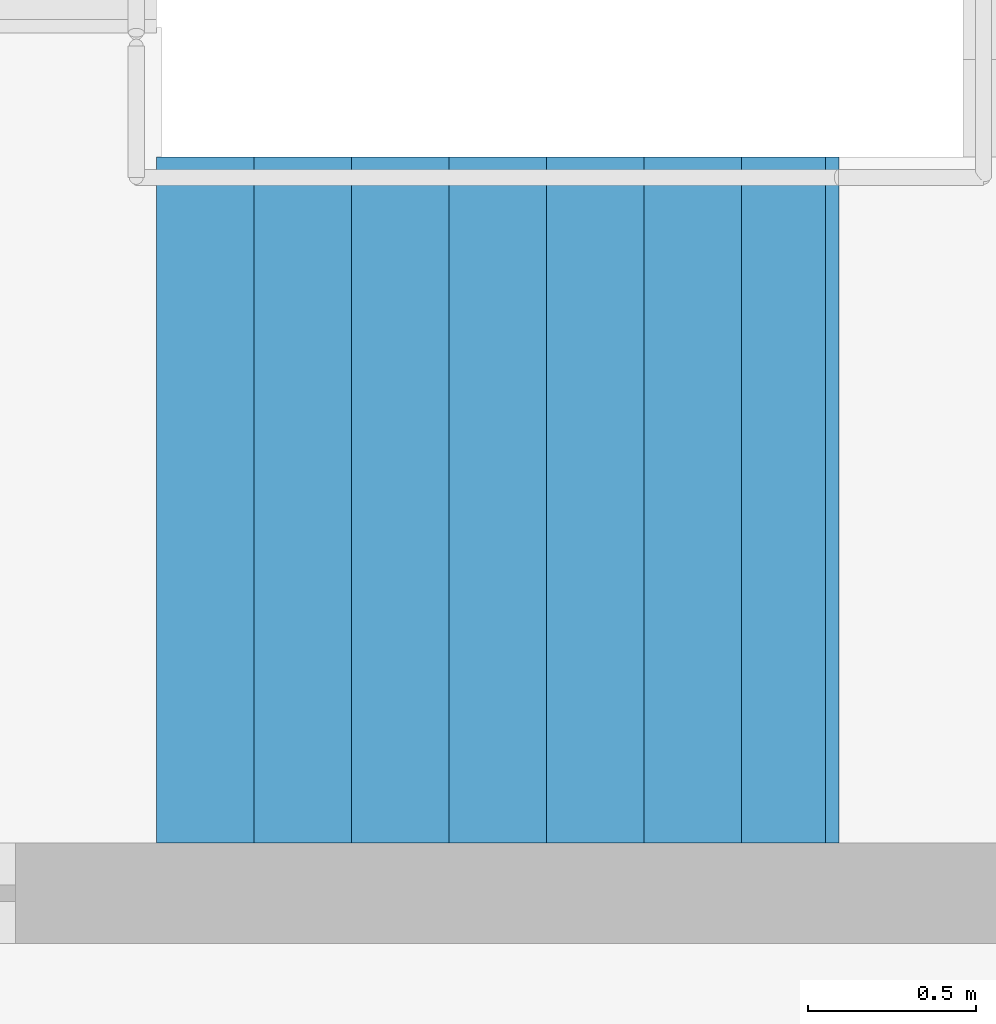
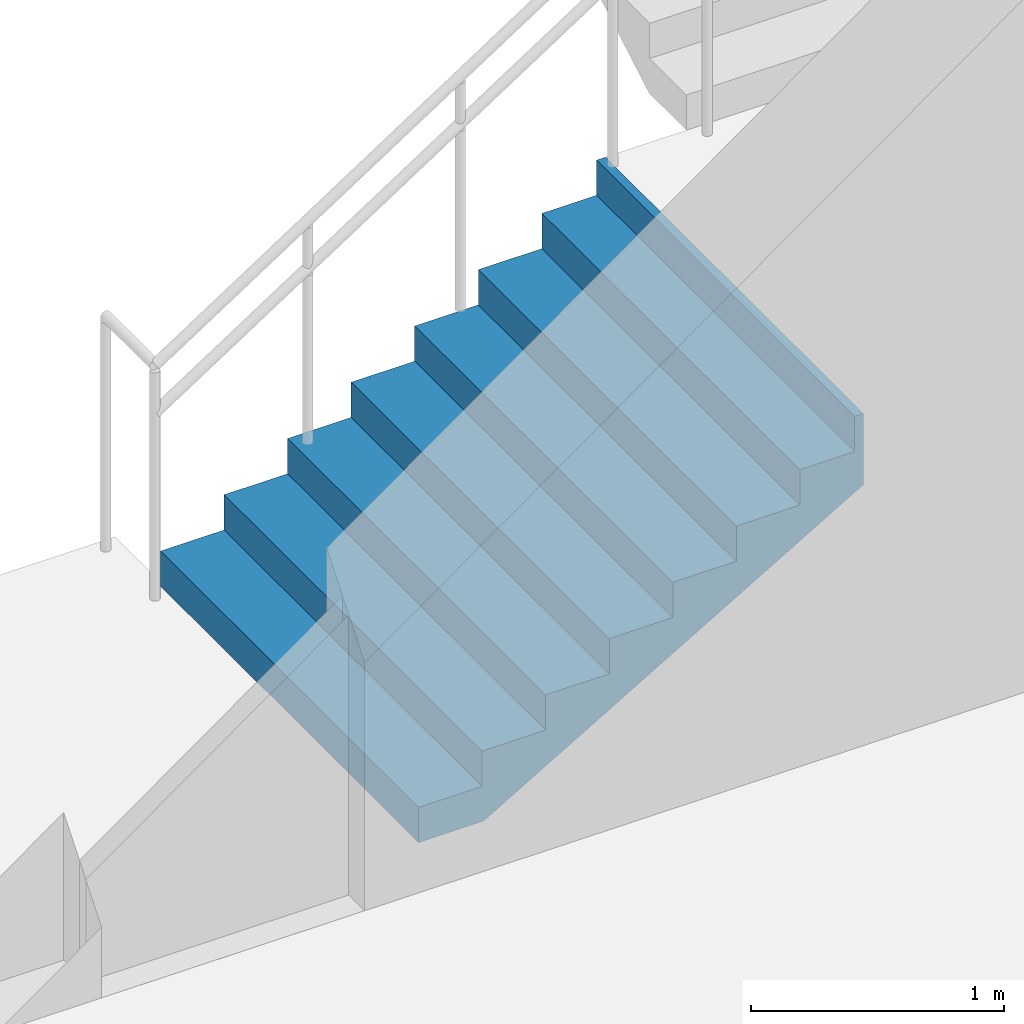
# One storey, part 58 of 72: 1 stair flight, 1 element without a shape of its own.
"""IFC4 building model written with IfcOpenShell, lengths in metres."""

from ifc_helpers import new_model, si_unit, direction, frame, origin, place, context, subcontext, project, spatial, triangles, material, type_object, element, aggregate, save


model = new_model("IFC4")

# Units and contexts
model_context = context("Model", 3, precision=1e-05, world=origin(), true_north=direction((0.0, 1.0)))
body_context = subcontext(model_context, "Body", "Model", "MODEL_VIEW")
ifc_project = project(units=[si_unit("LENGTHUNIT", "METRE"), si_unit("AREAUNIT", "SQUARE_METRE"), si_unit("VOLUMEUNIT", "CUBIC_METRE"), si_unit("PLANEANGLEUNIT", "RADIAN"), si_unit("MASSUNIT", "GRAM", prefix="KILO")], contexts=[model_context])

# Site, building, storey
site_placement = place(None, origin())
site = spatial("IfcSite", under=ifc_project, at=site_placement, CompositionType="ELEMENT")
building_placement = place(site_placement, origin())
building = spatial("IfcBuilding", under=site, at=building_placement, Name="Sillaruma Civic Art Gallery", CompositionType="ELEMENT")
storey_placement = place(building_placement, frame((0.0, 0.0, 10.8798828125)))
storey = spatial("IfcBuildingStorey", under=building, at=storey_placement, Name="L02", CompositionType="ELEMENT", Elevation=10.8798828125)

# Stair, stair flight
ifc_material = material(Name="Concrete H35 (35 MPa)", Category="concrete")
stair_type = type_object("IfcStairType", Name="STR-4F-32", PredefinedType="USERDEFINED", material=ifc_material)
stair_placement = place(storey_placement, origin())
stair = element("IfcStair", 1, at=stair_placement, inside=storey, type_object=stair_type, Name="Protected Exit Stair ST-01 (West Wing) (L02)", ObjectType="THREE_RETURN_STAIR", PredefinedType="USERDEFINED")
stair_flight_type = type_object("IfcStairFlightType", Name="SFL-STR-8", PredefinedType="STRAIGHT", material=ifc_material)
stair_flight_placement = place(storey_placement, frame((27.60009765625, 101.719970703125, 0.0), z_axis=(0.0, 0.0, 1.0), x_axis=(1.0, 0.0, 0.0)))
stair_flight = element("IfcStairFlight", 2, at=stair_flight_placement, type_object=stair_flight_type, Name="ST-01 flight 1", NumberOfRisers=8, NumberOfTreads=7, PredefinedType="STRAIGHT", RiserHeight=0.17, TreadLength=0.29, context=body_context, shape_type="Tessellation", body=[
    triangles([(0.0, -1.02001953125, 0.0), (0.29, -1.02001953125, 0.0), (0.296443, -1.02001953125, 0.0), (0.58, -1.02001953125, 0.166223), (0.87, -1.02001953125, 0.336223), (1.16, -1.02001953125, 0.506223), (1.45, -1.02001953125, 0.676223), (1.74, -1.02001953125, 0.846223), (1.990029, -1.02001953125, 0.992792), (2.030029, -1.02001953125, 1.01624), (2.030029, -1.02001953125, 1.36), (1.990029, -1.02001953125, 1.36), (1.990029, -1.02001953125, 1.19), (1.74, -1.02001953125, 1.19), (1.74, -1.02001953125, 1.02), (1.45, -1.02001953125, 1.02), (1.45, -1.02001953125, 0.85), (1.16, -1.02001953125, 0.85), (1.16, -1.02001953125, 0.68), (0.87, -1.02001953125, 0.68), (0.87, -1.02001953125, 0.51), (0.58, -1.02001953125, 0.51), (0.58, -1.02001953125, 0.34), (0.296443, -1.02001953125, 0.34), (0.29, -1.02001953125, 0.34), (0.29, -1.02001953125, 0.17), (0.0, -1.02001953125, 0.17), (0.0, -0.05, 0.0), (0.29, -0.05, 0.0), (0.296443, -0.05, 0.0), (0.58, -0.05, 0.166223), (0.87, -0.05, 0.336223), (1.16, -0.05, 0.506223), (1.45, -0.05, 0.676223), (1.74, -0.05, 0.846223), (1.990029, -0.05, 0.992792), (2.030029, -0.05, 1.01624), (2.030029, -0.05, 1.36), (1.990029, -0.05, 1.36), (1.990029, -0.05, 1.19), (1.74, -0.05, 1.19), (1.74, -0.05, 1.02), (1.45, -0.05, 1.02), (1.45, -0.05, 0.85), (1.16, -0.05, 0.85), (1.16, -0.05, 0.68), (0.87, -0.05, 0.68), (0.87, -0.05, 0.51), (0.58, -0.05, 0.51), (0.58, -0.05, 0.34), (0.296443, -0.05, 0.34), (0.29, -0.05, 0.34), (0.29, -0.05, 0.17), (0.0, -0.05, 0.17), (0.0, -0.0375, 0.0), (0.29, -0.0375, 0.0), (0.296443, -0.0375, 0.0), (0.58, -0.0375, 0.166223), (0.87, -0.0375, 0.336223), (1.16, -0.0375, 0.506223), (1.45, -0.0375, 0.676223), (1.74, -0.0375, 0.846223), (1.990029, -0.0375, 0.992792), (2.030029, -0.0375, 1.01624), (2.030029, -0.0375, 1.36), (1.990029, -0.0375, 1.36), (1.990029, -0.0375, 1.19), (1.74, -0.0375, 1.19), (1.74, -0.0375, 1.02), (1.45, -0.0375, 1.02), (1.45, -0.0375, 0.85), (1.16, -0.0375, 0.85), (1.16, -0.0375, 0.68), (0.87, -0.0375, 0.68), (0.87, -0.0375, 0.51), (0.58, -0.0375, 0.51), (0.58, -0.0375, 0.34), (0.296443, -0.0375, 0.34), (0.29, -0.0375, 0.34), (0.29, -0.0375, 0.17), (0.0, -0.0375, 0.17), (0.0, -0.025, 0.0), (0.29, -0.025, 0.0), (0.296443, -0.025, 0.0), (0.58, -0.025, 0.166223), (0.87, -0.025, 0.336223), (1.16, -0.025, 0.506223), (1.45, -0.025, 0.676223), (1.74, -0.025, 0.846223), (1.990029, -0.025, 0.992792), (2.030029, -0.025, 1.01624), (2.030029, -0.025, 1.36), (1.990029, -0.025, 1.36), (1.990029, -0.025, 1.19), (1.74, -0.025, 1.19), (1.74, -0.025, 1.02), (1.45, -0.025, 1.02), (1.45, -0.025, 0.85), (1.16, -0.025, 0.85), (1.16, -0.025, 0.68), (0.87, -0.025, 0.68), (0.87, -0.025, 0.51), (0.58, -0.025, 0.51), (0.58, -0.025, 0.34), (0.296443, -0.025, 0.34), (0.29, -0.025, 0.34), (0.29, -0.025, 0.17), (0.0, -0.025, 0.17), (0.0, -0.0125, 0.0), (0.29, -0.0125, 0.0), (0.296443, -0.0125, 0.0), (0.58, -0.0125, 0.166223), (0.87, -0.0125, 0.336223), (1.16, -0.0125, 0.506223), (1.45, -0.0125, 0.676223), (1.74, -0.0125, 0.846223), (1.990029, -0.0125, 0.992792), (2.030029, -0.0125, 1.01624), (2.030029, -0.0125, 1.36), (1.990029, -0.0125, 1.36), (1.990029, -0.0125, 1.19), (1.74, -0.0125, 1.19), (1.74, -0.0125, 1.02), (1.45, -0.0125, 1.02), (1.45, -0.0125, 0.85), (1.16, -0.0125, 0.85), (1.16, -0.0125, 0.68), (0.87, -0.0125, 0.68), (0.87, -0.0125, 0.51), (0.58, -0.0125, 0.51), (0.58, -0.0125, 0.34), (0.296443, -0.0125, 0.34), (0.29, -0.0125, 0.34), (0.29, -0.0125, 0.17), (0.0, -0.0125, 0.17), (0.0, 0.0, 0.0), (0.29, 0.0, 0.0), (0.296443, 0.0, 0.0), (0.58, 0.0, 0.166223), (0.87, 0.0, 0.336223), (1.16, 0.0, 0.506223), (1.45, 0.0, 0.676223), (1.74, 0.0, 0.846223), (1.990029, 0.0, 0.992792), (2.030029, 0.0, 1.01624), (2.030029, 0.0, 1.36), (1.990029, 0.0, 1.36), (1.990029, 0.0, 1.19), (1.74, 0.0, 1.19), (1.74, 0.0, 1.02), (1.45, 0.0, 1.02), (1.45, 0.0, 0.85), (1.16, 0.0, 0.85), (1.16, 0.0, 0.68), (0.87, 0.0, 0.68), (0.87, 0.0, 0.51), (0.58, 0.0, 0.51), (0.58, 0.0, 0.34), (0.296443, 0.0, 0.34), (0.29, 0.0, 0.34), (0.29, 0.0, 0.17), (0.0, 0.0, 0.17), (0.0, 0.0125, 0.0), (0.29, 0.0125, 0.0), (0.296443, 0.0125, 0.0), (0.58, 0.0125, 0.166223), (0.87, 0.0125, 0.336223), (1.16, 0.0125, 0.506223), (1.45, 0.0125, 0.676223), (1.74, 0.0125, 0.846223), (1.990029, 0.0125, 0.992792), (2.030029, 0.0125, 1.01624), (2.030029, 0.0125, 1.36), (1.990029, 0.0125, 1.36), (1.990029, 0.0125, 1.19), (1.74, 0.0125, 1.19), (1.74, 0.0125, 1.02), (1.45, 0.0125, 1.02), (1.45, 0.0125, 0.85), (1.16, 0.0125, 0.85), (1.16, 0.0125, 0.68), (0.87, 0.0125, 0.68), (0.87, 0.0125, 0.51), (0.58, 0.0125, 0.51), (0.58, 0.0125, 0.34), (0.296443, 0.0125, 0.34), (0.29, 0.0125, 0.34), (0.29, 0.0125, 0.17), (0.0, 0.0125, 0.17), (0.0, 0.025, 0.0), (0.29, 0.025, 0.0), (0.296443, 0.025, 0.0), (0.58, 0.025, 0.166223), (0.87, 0.025, 0.336223), (1.16, 0.025, 0.506223), (1.45, 0.025, 0.676223), (1.74, 0.025, 0.846223), (1.990029, 0.025, 0.992792), (2.030029, 0.025, 1.01624), (2.030029, 0.025, 1.36), (1.990029, 0.025, 1.36), (1.990029, 0.025, 1.19), (1.74, 0.025, 1.19), (1.74, 0.025, 1.02), (1.45, 0.025, 1.02), (1.45, 0.025, 0.85), (1.16, 0.025, 0.85), (1.16, 0.025, 0.68), (0.87, 0.025, 0.68), (0.87, 0.025, 0.51), (0.58, 0.025, 0.51), (0.58, 0.025, 0.34), (0.296443, 0.025, 0.34), (0.29, 0.025, 0.34), (0.29, 0.025, 0.17), (0.0, 0.025, 0.17), (0.0, 0.0375, 0.0), (0.29, 0.0375, 0.0), (0.296443, 0.0375, 0.0), (0.58, 0.0375, 0.166223), (0.87, 0.0375, 0.336223), (1.16, 0.0375, 0.506223), (1.45, 0.0375, 0.676223), (1.74, 0.0375, 0.846223), (1.990029, 0.0375, 0.992792), (2.030029, 0.0375, 1.01624), (2.030029, 0.0375, 1.36), (1.990029, 0.0375, 1.36), (1.990029, 0.0375, 1.19), (1.74, 0.0375, 1.19), (1.74, 0.0375, 1.02), (1.45, 0.0375, 1.02), (1.45, 0.0375, 0.85), (1.16, 0.0375, 0.85), (1.16, 0.0375, 0.68), (0.87, 0.0375, 0.68), (0.87, 0.0375, 0.51), (0.58, 0.0375, 0.51), (0.58, 0.0375, 0.34), (0.296443, 0.0375, 0.34), (0.29, 0.0375, 0.34), (0.29, 0.0375, 0.17), (0.0, 0.0375, 0.17), (0.0, 0.05, 0.0), (0.29, 0.05, 0.0), (0.296443, 0.05, 0.0), (0.58, 0.05, 0.166223), (0.87, 0.05, 0.336223), (1.16, 0.05, 0.506223), (1.45, 0.05, 0.676223), (1.74, 0.05, 0.846223), (1.990029, 0.05, 0.992792), (2.030029, 0.05, 1.01624), (2.030029, 0.05, 1.36), (1.990029, 0.05, 1.36), (1.990029, 0.05, 1.19), (1.74, 0.05, 1.19), (1.74, 0.05, 1.02), (1.45, 0.05, 1.02), (1.45, 0.05, 0.85), (1.16, 0.05, 0.85), (1.16, 0.05, 0.68), (0.87, 0.05, 0.68), (0.87, 0.05, 0.51), (0.58, 0.05, 0.51), (0.58, 0.05, 0.34), (0.296443, 0.05, 0.34), (0.29, 0.05, 0.34), (0.29, 0.05, 0.17), (0.0, 0.05, 0.17), (0.0, 1.02001953125, 0.0), (0.29, 1.02001953125, 0.0), (0.296443, 1.02001953125, 0.0), (0.58, 1.02001953125, 0.166223), (0.87, 1.02001953125, 0.336223), (1.16, 1.02001953125, 0.506223), (1.45, 1.02001953125, 0.676223), (1.74, 1.02001953125, 0.846223), (1.990029, 1.02001953125, 0.992792), (2.030029, 1.02001953125, 1.01624), (2.030029, 1.02001953125, 1.36), (1.990029, 1.02001953125, 1.36), (1.990029, 1.02001953125, 1.19), (1.74, 1.02001953125, 1.19), (1.74, 1.02001953125, 1.02), (1.45, 1.02001953125, 1.02), (1.45, 1.02001953125, 0.85), (1.16, 1.02001953125, 0.85), (1.16, 1.02001953125, 0.68), (0.87, 1.02001953125, 0.68), (0.87, 1.02001953125, 0.51), (0.58, 1.02001953125, 0.51), (0.58, 1.02001953125, 0.34), (0.296443, 1.02001953125, 0.34), (0.29, 1.02001953125, 0.34), (0.29, 1.02001953125, 0.17), (0.0, 1.02001953125, 0.17)], [[1, 2, 26], [1, 26, 27], [2, 3, 24], [2, 24, 26], [26, 24, 25], [3, 4, 23], [3, 23, 24], [4, 5, 21], [4, 21, 23], [23, 21, 22], [5, 6, 19], [5, 19, 21], [21, 19, 20], [6, 7, 17], [6, 17, 19], [19, 17, 18], [7, 8, 15], [7, 15, 17], [17, 15, 16], [8, 9, 13], [8, 13, 15], [15, 13, 14], [9, 10, 11], [9, 11, 13], [13, 11, 12], [296, 272, 271], [297, 296, 271], [294, 273, 272], [296, 294, 272], [295, 294, 296], [293, 274, 273], [294, 293, 273], [291, 275, 274], [293, 291, 274], [292, 291, 293], [289, 276, 275], [291, 289, 275], [290, 289, 291], [287, 277, 276], [289, 287, 276], [288, 287, 289], [285, 278, 277], [287, 285, 277], [286, 285, 287], [283, 279, 278], [285, 283, 278], [284, 283, 285], [281, 280, 279], [283, 281, 279], [282, 281, 283], [2, 1, 28], [2, 28, 29], [3, 2, 29], [3, 29, 30], [4, 3, 30], [4, 30, 31], [5, 4, 31], [5, 31, 32], [6, 5, 32], [6, 32, 33], [7, 6, 33], [7, 33, 34], [8, 7, 34], [8, 34, 35], [9, 8, 35], [9, 35, 36], [10, 9, 36], [10, 36, 37], [11, 10, 37], [11, 37, 38], [12, 11, 38], [12, 38, 39], [13, 12, 39], [13, 39, 40], [14, 13, 40], [14, 40, 41], [15, 14, 41], [15, 41, 42], [16, 15, 42], [16, 42, 43], [17, 16, 43], [17, 43, 44], [18, 17, 44], [18, 44, 45], [19, 18, 45], [19, 45, 46], [20, 19, 46], [20, 46, 47], [21, 20, 47], [21, 47, 48], [22, 21, 48], [22, 48, 49], [23, 22, 49], [23, 49, 50], [24, 23, 50], [24, 50, 51], [25, 24, 51], [25, 51, 52], [26, 25, 52], [26, 52, 53], [27, 26, 53], [27, 53, 54], [1, 27, 54], [1, 54, 28], [29, 28, 55], [29, 55, 56], [30, 29, 56], [30, 56, 57], [31, 30, 57], [31, 57, 58], [32, 31, 58], [32, 58, 59], [33, 32, 59], [33, 59, 60], [34, 33, 60], [34, 60, 61], [35, 34, 61], [35, 61, 62], [36, 35, 62], [36, 62, 63], [37, 36, 63], [37, 63, 64], [38, 37, 64], [38, 64, 65], [39, 38, 65], [39, 65, 66], [40, 39, 66], [40, 66, 67], [41, 40, 67], [41, 67, 68], [42, 41, 68], [42, 68, 69], [43, 42, 69], [43, 69, 70], [44, 43, 70], [44, 70, 71], [45, 44, 71], [45, 71, 72], [46, 45, 72], [46, 72, 73], [47, 46, 73], [47, 73, 74], [48, 47, 74], [48, 74, 75], [49, 48, 75], [49, 75, 76], [50, 49, 76], [50, 76, 77], [51, 50, 77], [51, 77, 78], [52, 51, 78], [52, 78, 79], [53, 52, 79], [53, 79, 80], [54, 53, 80], [54, 80, 81], [28, 54, 81], [28, 81, 55], [56, 55, 82], [56, 82, 83], [57, 56, 83], [57, 83, 84], [58, 57, 84], [58, 84, 85], [59, 58, 85], [59, 85, 86], [60, 59, 86], [60, 86, 87], [61, 60, 87], [61, 87, 88], [62, 61, 88], [62, 88, 89], [63, 62, 89], [63, 89, 90], [64, 63, 90], [64, 90, 91], [65, 64, 91], [65, 91, 92], [66, 65, 92], [66, 92, 93], [67, 66, 93], [67, 93, 94], [68, 67, 94], [68, 94, 95], [69, 68, 95], [69, 95, 96], [70, 69, 96], [70, 96, 97], [71, 70, 97], [71, 97, 98], [72, 71, 98], [72, 98, 99], [73, 72, 99], [73, 99, 100], [74, 73, 100], [74, 100, 101], [75, 74, 101], [75, 101, 102], [76, 75, 102], [76, 102, 103], [77, 76, 103], [77, 103, 104], [78, 77, 104], [78, 104, 105], [79, 78, 105], [79, 105, 106], [80, 79, 106], [80, 106, 107], [81, 80, 107], [81, 107, 108], [55, 81, 108], [55, 108, 82], [83, 82, 109], [83, 109, 110], [84, 83, 110], [84, 110, 111], [85, 84, 111], [85, 111, 112], [86, 85, 112], [86, 112, 113], [87, 86, 113], [87, 113, 114], [88, 87, 114], [88, 114, 115], [89, 88, 115], [89, 115, 116], [90, 89, 116], [90, 116, 117], [91, 90, 117], [91, 117, 118], [92, 91, 118], [92, 118, 119], [93, 92, 119], [93, 119, 120], [94, 93, 120], [94, 120, 121], [95, 94, 121], [95, 121, 122], [96, 95, 122], [96, 122, 123], [97, 96, 123], [97, 123, 124], [98, 97, 124], [98, 124, 125], [99, 98, 125], [99, 125, 126], [100, 99, 126], [100, 126, 127], [101, 100, 127], [101, 127, 128], [102, 101, 128], [102, 128, 129], [103, 102, 129], [103, 129, 130], [104, 103, 130], [104, 130, 131], [105, 104, 131], [105, 131, 132], [106, 105, 132], [106, 132, 133], [107, 106, 133], [107, 133, 134], [108, 107, 134], [108, 134, 135], [82, 108, 135], [82, 135, 109], [110, 109, 136], [110, 136, 137], [111, 110, 137], [111, 137, 138], [112, 111, 138], [112, 138, 139], [113, 112, 139], [113, 139, 140], [114, 113, 140], [114, 140, 141], [115, 114, 141], [115, 141, 142], [116, 115, 142], [116, 142, 143], [117, 116, 143], [117, 143, 144], [118, 117, 144], [118, 144, 145], [119, 118, 145], [119, 145, 146], [120, 119, 146], [120, 146, 147], [121, 120, 147], [121, 147, 148], [122, 121, 148], [122, 148, 149], [123, 122, 149], [123, 149, 150], [124, 123, 150], [124, 150, 151], [125, 124, 151], [125, 151, 152], [126, 125, 152], [126, 152, 153], [127, 126, 153], [127, 153, 154], [128, 127, 154], [128, 154, 155], [129, 128, 155], [129, 155, 156], [130, 129, 156], [130, 156, 157], [131, 130, 157], [131, 157, 158], [132, 131, 158], [132, 158, 159], [133, 132, 159], [133, 159, 160], [134, 133, 160], [134, 160, 161], [135, 134, 161], [135, 161, 162], [109, 135, 162], [109, 162, 136], [137, 136, 163], [137, 163, 164], [138, 137, 164], [138, 164, 165], [139, 138, 165], [139, 165, 166], [140, 139, 166], [140, 166, 167], [141, 140, 167], [141, 167, 168], [142, 141, 168], [142, 168, 169], [143, 142, 169], [143, 169, 170], [144, 143, 170], [144, 170, 171], [145, 144, 171], [145, 171, 172], [146, 145, 172], [146, 172, 173], [147, 146, 173], [147, 173, 174], [148, 147, 174], [148, 174, 175], [149, 148, 175], [149, 175, 176], [150, 149, 176], [150, 176, 177], [151, 150, 177], [151, 177, 178], [152, 151, 178], [152, 178, 179], [153, 152, 179], [153, 179, 180], [154, 153, 180], [154, 180, 181], [155, 154, 181], [155, 181, 182], [156, 155, 182], [156, 182, 183], [157, 156, 183], [157, 183, 184], [158, 157, 184], [158, 184, 185], [159, 158, 185], [159, 185, 186], [160, 159, 186], [160, 186, 187], [161, 160, 187], [161, 187, 188], [162, 161, 188], [162, 188, 189], [136, 162, 189], [136, 189, 163], [164, 163, 190], [164, 190, 191], [165, 164, 191], [165, 191, 192], [166, 165, 192], [166, 192, 193], [167, 166, 193], [167, 193, 194], [168, 167, 194], [168, 194, 195], [169, 168, 195], [169, 195, 196], [170, 169, 196], [170, 196, 197], [171, 170, 197], [171, 197, 198], [172, 171, 198], [172, 198, 199], [173, 172, 199], [173, 199, 200], [174, 173, 200], [174, 200, 201], [175, 174, 201], [175, 201, 202], [176, 175, 202], [176, 202, 203], [177, 176, 203], [177, 203, 204], [178, 177, 204], [178, 204, 205], [179, 178, 205], [179, 205, 206], [180, 179, 206], [180, 206, 207], [181, 180, 207], [181, 207, 208], [182, 181, 208], [182, 208, 209], [183, 182, 209], [183, 209, 210], [184, 183, 210], [184, 210, 211], [185, 184, 211], [185, 211, 212], [186, 185, 212], [186, 212, 213], [187, 186, 213], [187, 213, 214], [188, 187, 214], [188, 214, 215], [189, 188, 215], [189, 215, 216], [163, 189, 216], [163, 216, 190], [191, 190, 217], [191, 217, 218], [192, 191, 218], [192, 218, 219], [193, 192, 219], [193, 219, 220], [194, 193, 220], [194, 220, 221], [195, 194, 221], [195, 221, 222], [196, 195, 222], [196, 222, 223], [197, 196, 223], [197, 223, 224], [198, 197, 224], [198, 224, 225], [199, 198, 225], [199, 225, 226], [200, 199, 226], [200, 226, 227], [201, 200, 227], [201, 227, 228], [202, 201, 228], [202, 228, 229], [203, 202, 229], [203, 229, 230], [204, 203, 230], [204, 230, 231], [205, 204, 231], [205, 231, 232], [206, 205, 232], [206, 232, 233], [207, 206, 233], [207, 233, 234], [208, 207, 234], [208, 234, 235], [209, 208, 235], [209, 235, 236], [210, 209, 236], [210, 236, 237], [211, 210, 237], [211, 237, 238], [212, 211, 238], [212, 238, 239], [213, 212, 239], [213, 239, 240], [214, 213, 240], [214, 240, 241], [215, 214, 241], [215, 241, 242], [216, 215, 242], [216, 242, 243], [190, 216, 243], [190, 243, 217], [218, 217, 244], [218, 244, 245], [219, 218, 245], [219, 245, 246], [220, 219, 246], [220, 246, 247], [221, 220, 247], [221, 247, 248], [222, 221, 248], [222, 248, 249], [223, 222, 249], [223, 249, 250], [224, 223, 250], [224, 250, 251], [225, 224, 251], [225, 251, 252], [226, 225, 252], [226, 252, 253], [227, 226, 253], [227, 253, 254], [228, 227, 254], [228, 254, 255], [229, 228, 255], [229, 255, 256], [230, 229, 256], [230, 256, 257], [231, 230, 257], [231, 257, 258], [232, 231, 258], [232, 258, 259], [233, 232, 259], [233, 259, 260], [234, 233, 260], [234, 260, 261], [235, 234, 261], [235, 261, 262], [236, 235, 262], [236, 262, 263], [237, 236, 263], [237, 263, 264], [238, 237, 264], [238, 264, 265], [239, 238, 265], [239, 265, 266], [240, 239, 266], [240, 266, 267], [241, 240, 267], [241, 267, 268], [242, 241, 268], [242, 268, 269], [243, 242, 269], [243, 269, 270], [217, 243, 270], [217, 270, 244], [245, 244, 271], [245, 271, 272], [246, 245, 272], [246, 272, 273], [247, 246, 273], [247, 273, 274], [248, 247, 274], [248, 274, 275], [249, 248, 275], [249, 275, 276], [250, 249, 276], [250, 276, 277], [251, 250, 277], [251, 277, 278], [252, 251, 278], [252, 278, 279], [253, 252, 279], [253, 279, 280], [254, 253, 280], [254, 280, 281], [255, 254, 281], [255, 281, 282], [256, 255, 282], [256, 282, 283], [257, 256, 283], [257, 283, 284], [258, 257, 284], [258, 284, 285], [259, 258, 285], [259, 285, 286], [260, 259, 286], [260, 286, 287], [261, 260, 287], [261, 287, 288], [262, 261, 288], [262, 288, 289], [263, 262, 289], [263, 289, 290], [264, 263, 290], [264, 290, 291], [265, 264, 291], [265, 291, 292], [266, 265, 292], [266, 292, 293], [267, 266, 293], [267, 293, 294], [268, 267, 294], [268, 294, 295], [269, 268, 295], [269, 295, 296], [270, 269, 296], [270, 296, 297], [244, 270, 297], [244, 297, 271]], closed=True),
])
aggregate(stair, [stair_flight])

save(model, "model.ifc")
